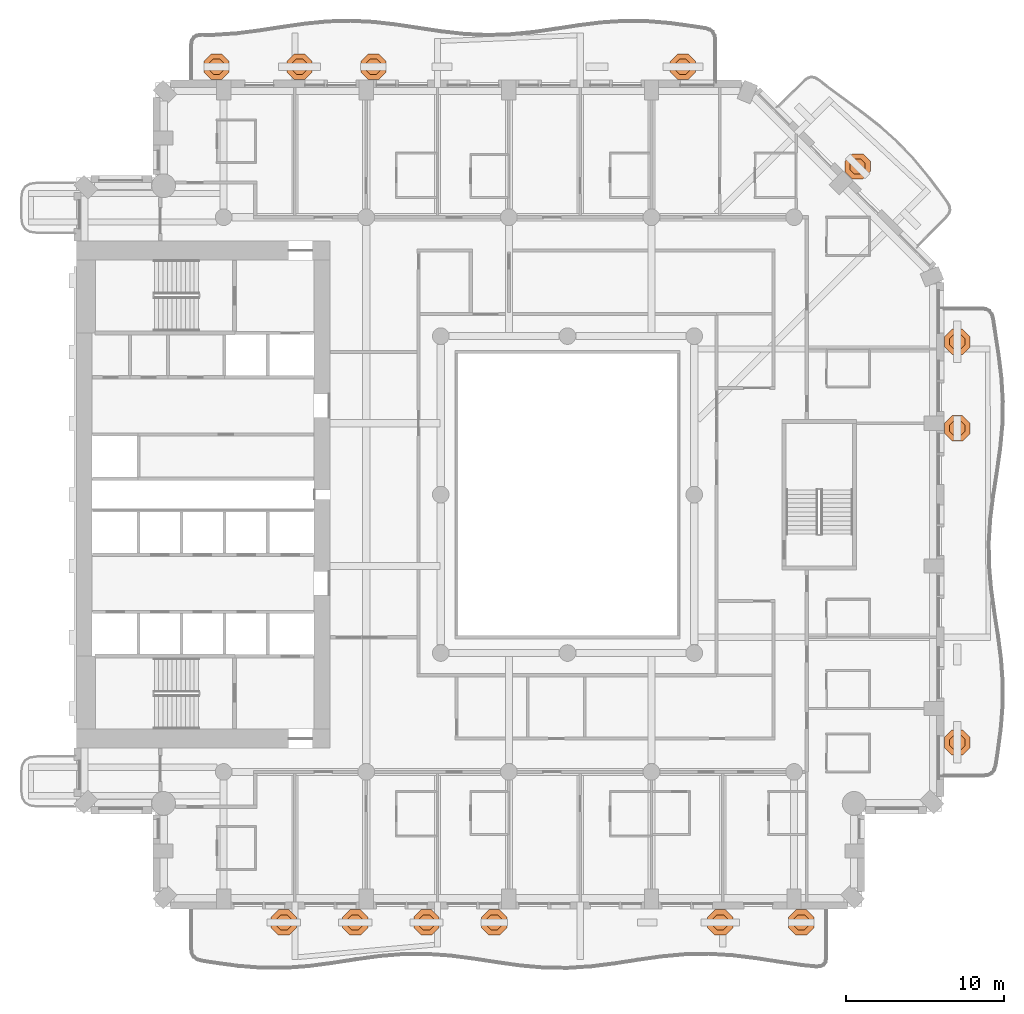
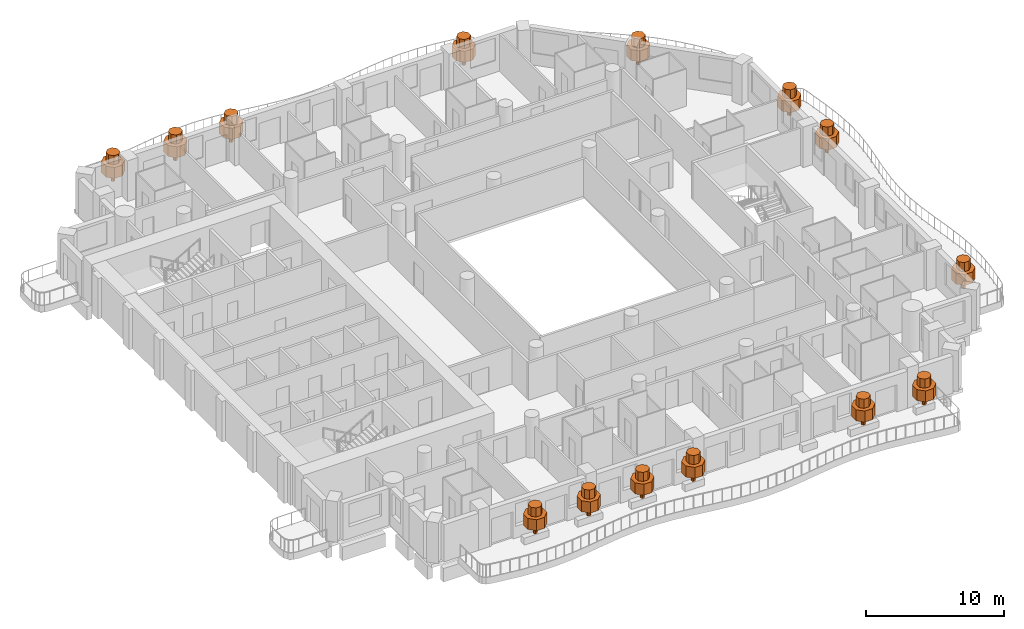
# One storey, part 20 of 20: 14 geographic elements.
"""IFC4 building model written with IfcOpenShell, lengths in metres."""

from ifc_helpers import new_model, si_unit, direction, frame, origin, place, context, subcontext, project, spatial, polyline, outline, extrude, material, type_object, element, save


model = new_model("IFC4")

# Units and contexts
model_context = context("Model", 3, precision=1e-05, world=origin(), true_north=direction((0.0, 1.0)))
body_context = subcontext(model_context, "Body", "Model", "MODEL_VIEW")
ifc_project = project(units=[si_unit("LENGTHUNIT", "METRE"), si_unit("AREAUNIT", "SQUARE_METRE"), si_unit("VOLUMEUNIT", "CUBIC_METRE"), si_unit("PLANEANGLEUNIT", "RADIAN"), si_unit("MASSUNIT", "GRAM", prefix="KILO")], contexts=[model_context])

# Site, building, storey
site_placement = place(None, origin())
site = spatial("IfcSite", under=ifc_project, at=site_placement, CompositionType="ELEMENT")
building_placement = place(site_placement, origin())
building = spatial("IfcBuilding", under=site, at=building_placement, Name="Cypress Arch Tower", CompositionType="ELEMENT")
storey_placement = place(building_placement, frame((0.0, 0.0, 113.10009765625)))
storey = spatial("IfcBuildingStorey", under=building, at=storey_placement, Name="L23", CompositionType="ELEMENT", Elevation=113.10009765625)

# Geographic elements
ifc_material = material(Name="Foliage and planting")
geographic_element_type = type_object("IfcGeographicElementType", Name="Balcony tree TR", PredefinedType="USERDEFINED", material=ifc_material)
for number, where, z_axis, x_axis, name in (
    (1, (-16.89990234375, -27.0, 0.599853515625), (0.0, 0.0, 1.0), (1.0, 0.0, 0.0), "Balcony tree L23-A03.1"),
    (2, (-12.39990234375, -27.0, 0.599853515625), (0.0, 0.0, 1.0), (1.0, 0.0, 0.0), "Balcony tree L23-A03.2"),
    (3, (-7.89990234375, -27.0, 0.599853515625), (0.0, 0.0, 1.0), (1.0, 0.0, 0.0), "Balcony tree L23-A03.3"),
    (4, (-3.625, -27.0, 0.599853515625), (0.0, 0.0, 1.0), (1.0, 0.0, 0.0), "Balcony tree L23-A03.4"),
    (5, (10.639892578125, -27.0, 0.599853515625), (0.0, 0.0, 1.0), (1.0, 0.0, 0.0), "Balcony tree L23-A03.6"),
    (6, (15.75, -27.0, 0.599853515625), (0.0, 0.0, 1.0), (1.0, 0.0, 0.0), "Balcony tree L23-A03.7"),
    (7, (25.60009765625, -15.642822265625, 0.599853515625), (0.0, 0.0, 1.0), (1.0, 0.0, 0.0), "Balcony tree L23-A06.1"),
    (8, (25.60009765625, 4.1826171875, 0.599853515625), (0.0, 0.0, 1.0), (1.0, 0.0, 0.0), "Balcony tree L23-A06.3"),
    (9, (25.60009765625, 9.642822265625, 0.599853515625), (0.0, 0.0, 1.0), (1.0, 0.0, 0.0), "Balcony tree L23-A06.4"),
    (10, (19.30712890625, 20.70703125, 0.599853515625), (0.0, 0.0, 1.0), (1.0, 0.0, 0.0), "Balcony tree L23-A07.2"),
    (11, (8.28125, 27.0, 0.599853515625), (0.0, 0.0, 1.0), (1.0, 0.0, 0.0), "Balcony tree L23-A08.1"),
    (12, (-11.24365234375, 27.0, 0.599853515625), (0.0, 0.0, 1.0), (1.0, 0.0, 0.0), "Balcony tree L23-A08.4"),
    (13, (-15.91259765625, 27.0, 0.599853515625), (0.0, 0.0, 1.0), (1.0, 0.0, 0.0), "Balcony tree L23-A08.5"),
    (14, (-21.14990234375, 27.0, 0.599853515625), (0.0, 0.0, 1.0), (1.0, 0.0, 0.0), "Balcony tree L23-A08.6"),
):
    element("IfcGeographicElement", number, at=place(storey_placement, frame(where, z_axis=z_axis, x_axis=x_axis)), inside=storey, type_object=geographic_element_type, Name=name, ObjectType="TREE", PredefinedType="USERDEFINED", context=body_context, shape_type="SweptSolid", body=[
        extrude(outline(polyline([(0.14990234375, 0.06201171875), (0.06201171875, 0.14990234375), (-0.06201171875, 0.14990234375), (-0.14990234375, 0.06201171875), (-0.14990234375, -0.06201171875), (-0.06201171875, -0.14990234375), (0.06201171875, -0.14990234375), (0.14990234375, -0.06201171875), (0.14990234375, 0.06201171875)])), origin(), (0.0, 0.0, 1.0), 0.864990234375),
        extrude(outline(polyline([(0.800048828125, 0.331298828125), (0.331298828125, 0.800048828125), (-0.331298828125, 0.800048828125), (-0.800048828125, 0.331298828125), (-0.800048828125, -0.331298828125), (-0.331298828125, -0.800048828125), (0.331298828125, -0.800048828125), (0.800048828125, -0.331298828125), (0.800048828125, 0.331298828125)])), frame((0.0, 0.0, 0.764892578125)), (0.0, 0.0, 1.0), 0.981689453125),
        extrude(outline(polyline([(0.47998046875, 0.19873046875), (0.19873046875, 0.47998046875), (-0.19873046875, 0.47998046875), (-0.47998046875, 0.19873046875), (-0.47998046875, -0.19873046875), (-0.19873046875, -0.47998046875), (0.19873046875, -0.47998046875), (0.47998046875, -0.19873046875), (0.47998046875, 0.19873046875)])), frame((0.0, 0.0, 1.746826171875)), (0.0, 0.0, 1.0), 0.80322265625),
    ])

save(model, "model.ifc")
